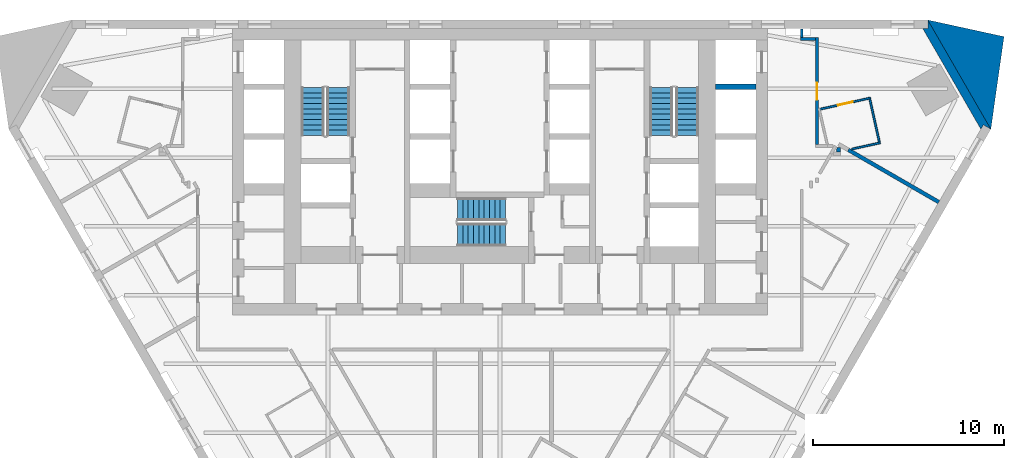
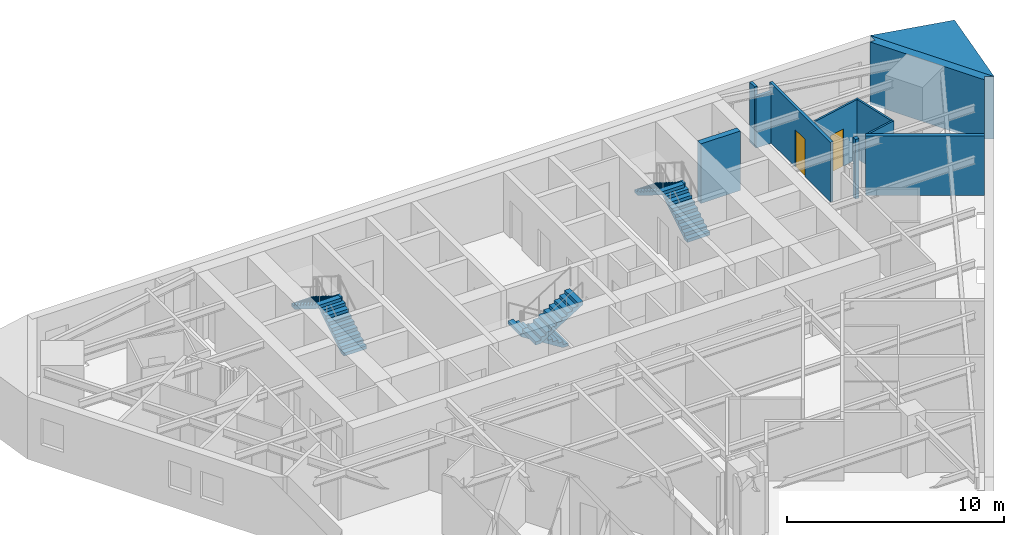
# One storey, part 9 of 11: 11 walls, 6 stair flights, 2 doors, 2 openings, 3 elements without a shape of their own.
"""IFC4 building model written with IfcOpenShell, lengths in metres."""

from ifc_helpers import new_model, si_unit, direction, frame, frame_2d, origin, place, context, subcontext, project, spatial, polyline, rectangle, outline, extrude, material, layer, layer_set, type_object, element, fill, aggregate, save


model = new_model("IFC4")

# Units and contexts
model_context = context("Model", 3, precision=1e-05, world=origin(), true_north=direction((0.0, 1.0)))
body_context = subcontext(model_context, "Body", "Model", "MODEL_VIEW")
ifc_project = project(units=[si_unit("LENGTHUNIT", "METRE"), si_unit("AREAUNIT", "SQUARE_METRE"), si_unit("VOLUMEUNIT", "CUBIC_METRE"), si_unit("PLANEANGLEUNIT", "RADIAN"), si_unit("MASSUNIT", "GRAM", prefix="KILO")], contexts=[model_context])

# Site, building, storey
site_placement = place(None, origin())
site = spatial("IfcSite", under=ifc_project, at=site_placement, CompositionType="ELEMENT")
building_placement = place(site_placement, origin())
building = spatial("IfcBuilding", under=site, at=building_placement, Name="Aloe Facet Convention Tower", CompositionType="ELEMENT")
storey_placement = place(building_placement, frame((0.0, 0.0, 66.5)))
storey = spatial("IfcBuildingStorey", under=building, at=storey_placement, Name="L15", CompositionType="ELEMENT", Elevation=66.5)

# Walls
ifc_material_1 = material(Name="Concrete C80/95", Category="concrete")
ifc_layer_1 = layer(ifc_material_1, 0.300048828125)
ifc_layer_set_1 = layer_set([ifc_layer_1], Name="CR-W-RC300-C8095")
wall_type_1 = type_object("IfcWallType", Name="CR-W-RC300-C8095", PredefinedType="SOLIDWALL", material=ifc_layer_set_1)
wall_1_placement = place(storey_placement, frame((91.300048828125, 131.5, 0.0), z_axis=(0.0, 0.0, 1.0), x_axis=(1.0, 0.0, 0.0)))
element("IfcWall", 1, at=wall_1_placement, inside=storey, type_object=wall_type_1, Name="Core wall L15-049", PredefinedType="SOLIDWALL", context=body_context, shape_type="SweptSolid", body=[
    extrude(rectangle(XDim=2.099853515625, YDim=0.300048828125, at=frame_2d((1.0498046875, 0.0))), origin(), (0.0, 0.0, 1.0), 3.35009765625),
])
ifc_material_2 = material(Name="Precast concrete C40/50", Category="concrete")
ifc_layer_2 = layer(ifc_material_2, 0.449951171875)
ifc_layer_set_2 = layer_set([ifc_layer_2], Name="EV-WALL-PIER")
wall_type_2 = type_object("IfcWallType", Name="EV-WALL-PIER", PredefinedType="SOLIDWALL", material=ifc_layer_set_2)
wall_2_placement = place(storey_placement, frame((0.0, 0.0, -0.14990234375)))
element("IfcWall", 2, at=wall_2_placement, inside=storey, type_object=wall_type_2, Name="EP-L15-C", PredefinedType="SOLIDWALL", context=body_context, shape_type="SweptSolid", body=[
    extrude(outline(polyline([(105.699951171875, 129.2841796875), (105.310302734375, 129.50927734375), (105.180419921875, 129.2841796875), (102.14013671875, 134.550048828125), (102.39990234375, 134.550048828125), (102.39990234375, 135.0), (105.699951171875, 129.2841796875)])), origin(), (0.0, 0.0, 1.0), 3.5),
])
ifc_material_3 = material(Name="Precast concrete C40/50", Category="concrete")
ifc_layer_3 = layer(ifc_material_3, 3.947998046875)
ifc_layer_set_3 = layer_set([ifc_layer_3], Name="EV-WALL-SPINE")
wall_type_3 = type_object("IfcWallType", Name="EV-WALL-SPINE", PredefinedType="SOLIDWALL", material=ifc_layer_set_3)
wall_3_placement = place(storey_placement, frame((0.0, 0.0, -0.14990234375)))
element("IfcWall", 3, at=wall_3_placement, inside=storey, type_object=wall_type_3, Name="SP-NE-L15", PredefinedType="SOLIDWALL", context=body_context, shape_type="SweptSolid", body=[
    extrude(outline(polyline([(105.699951171875, 129.2841796875), (106.388671875, 134.129638671875), (102.39990234375, 135.0), (105.699951171875, 129.2841796875)])), origin(), (0.0, 0.0, 1.0), 3.5),
])

# Wall, opening, door
ifc_material_4 = material(Name="Gypsum board partition on steel studs", Category="steel")
ifc_layer_4 = layer(ifc_material_4, 0.14990234375)
ifc_layer_set_4 = layer_set([ifc_layer_4], Name="IN-W-CORR")
wall_type_4 = type_object("IfcWallType", Name="IN-W-CORR", PredefinedType="PARTITIONING", material=ifc_layer_set_4)
wall_4_placement = place(storey_placement, frame((96.60009765625, 128.47509765625, 0.0), z_axis=(0.0, 0.0, 1.0), x_axis=(0.0, 1.0, 0.0)))
wall_4 = element("IfcWall", 4, at=wall_4_placement, inside=storey, type_object=wall_type_4, Name="Partition L15-W126", PredefinedType="PARTITIONING", context=body_context, shape_type="SweptSolid", body=[
    extrude(rectangle(XDim=5.599365234375, YDim=0.14990234375, at=frame_2d((2.7998046875, 0.0))), origin(), (0.0, 0.0, 1.0), 3.35009765625),
])
opening_1_placement = place(wall_4_placement, frame((2.349853515625, 0.0, 0.0)))
opening_1 = element("IfcOpeningElement", 5, at=opening_1_placement, cuts=wall_4, Name="Opening L15-001", PredefinedType="OPENING", context=body_context, shape_type="SweptSolid", body=[
    extrude(rectangle(XDim=0.89990234375, YDim=2.10009765625, at=frame_2d((0.449951171875, 1.050048828125))), frame((0.0, 0.0849609375, 0.0), z_axis=(0.0, -1.0, 0.0), x_axis=(1.0, 0.0, 0.0)), (0.0, 0.0, 1.0), 0.169921875),
])
ifc_material_5 = material(Name="Hardwood flush door FD30S", Category="wood")
door_type_1 = type_object("IfcDoorType", Name="IN-D-GUEST", OperationType="SINGLE_SWING_LEFT", PredefinedType="DOOR", material=ifc_material_5)
door_1_placement = place(opening_1_placement, origin())
door_1 = element("IfcDoor", 6, at=door_1_placement, inside=storey, type_object=door_type_1, Name="Door L15-001", OperationType="SINGLE_SWING_LEFT", OverallHeight=2.10009765625, OverallWidth=0.89990234375, PredefinedType="DOOR", context=body_context, shape_type="SweptSolid", body=[
    extrude(rectangle(XDim=0.89990234375, YDim=2.10009765625, at=frame_2d((0.449951171875, 1.050048828125))), frame((0.0, 0.02490234375, 0.0), z_axis=(0.0, -1.0, 0.0), x_axis=(1.0, 0.0, 0.0)), (0.0, 0.0, 1.0), 0.050048828125),
])
fill(opening_1, door_1)

# Walls
wall_5_placement = place(storey_placement, frame((95.72509765625, 134.0, 0.0), z_axis=(0.0, 0.0, 1.0), x_axis=(0.999999813645, -0.000610500497, 0.0)))
element("IfcWall", 7, at=wall_5_placement, inside=storey, type_object=wall_type_4, Name="Partition L15-W129", PredefinedType="PARTITIONING", context=body_context, shape_type="SweptSolid", body=[
    extrude(rectangle(XDim=0.7998046875, YDim=0.14990234375, at=frame_2d((0.39990234375, 0.0))), origin(), (0.0, 0.0, 1.0), 2.88671875),
])
wall_6_placement = place(storey_placement, frame((95.800048828125, 134.074951171875, 0.0), z_axis=(0.0, 0.0, 1.0), x_axis=(0.0, 1.0, 0.0)))
element("IfcWall", 8, at=wall_6_placement, inside=storey, type_object=wall_type_4, Name="Partition L15-W130", PredefinedType="PARTITIONING", context=body_context, shape_type="SweptSolid", body=[
    extrude(rectangle(XDim=0.465087890625, YDim=0.14990234375, at=frame_2d((0.232421875, 0.0))), origin(), (0.0, 0.0, 1.0), 3.35009765625),
])
ifc_material_6 = material(Name="Gypsum board partition on steel studs", Category="steel")
ifc_layer_5 = layer(ifc_material_6, 0.10009765625)
ifc_layer_set_5 = layer_set([ifc_layer_5], Name="IN-W-PART")
wall_type_5 = type_object("IfcWallType", Name="IN-W-PART", PredefinedType="PARTITIONING", material=ifc_layer_set_5)
wall_7_placement = place(storey_placement, frame((98.419189453125, 128.24072265625, 0.0), z_axis=(0.0, 0.0, 1.0), x_axis=(0.976051976124, 0.217537444834, 0.0)))
element("IfcWall", 9, at=wall_7_placement, inside=storey, type_object=wall_type_5, Name="Partition L15-W120", PredefinedType="PARTITIONING", context=body_context, shape_type="SweptSolid", body=[
    extrude(rectangle(XDim=1.532958984375, YDim=0.10009765625, at=frame_2d((0.7666015625, 0.0))), origin(), (0.0, 0.0, 1.0), 3.35009765625),
])

# Wall, opening, door
wall_8_placement = place(storey_placement, frame((96.767822265625, 130.331787109375, 0.0), z_axis=(0.0, 0.0, 1.0), x_axis=(0.976069905732, 0.21745698224, 0.0)))
wall_8 = element("IfcWall", 10, at=wall_8_placement, inside=storey, type_object=wall_type_5, Name="Partition L15-W123", PredefinedType="PARTITIONING", context=body_context, shape_type="SweptSolid", body=[
    extrude(rectangle(XDim=2.7001953125, YDim=0.10009765625, at=frame_2d((1.35009765625, 0.0))), origin(), (0.0, 0.0, 1.0), 3.35009765625),
])
opening_2_placement = place(wall_8_placement, frame((0.949951171875, 0.0, 0.0)))
opening_2 = element("IfcOpeningElement", 11, at=opening_2_placement, cuts=wall_8, Name="Opening L15-016", PredefinedType="OPENING", context=body_context, shape_type="SweptSolid", body=[
    extrude(rectangle(XDim=0.800048828125, YDim=2.10009765625, at=frame_2d((0.39990234375, 1.050048828125))), frame((0.0, 0.06005859375, 0.0), z_axis=(0.0, -1.0, 0.0), x_axis=(1.0, 0.0, 0.0)), (0.0, 0.0, 1.0), 0.1201171875),
])
ifc_material_7 = material(Name="Timber flush door", Category="wood")
door_type_2 = type_object("IfcDoorType", Name="IN-D-BATH", OperationType="SINGLE_SWING_LEFT", PredefinedType="DOOR", material=ifc_material_7)
door_2_placement = place(opening_2_placement, origin())
door_2 = element("IfcDoor", 12, at=door_2_placement, inside=storey, type_object=door_type_2, Name="Door L15-016", OperationType="SINGLE_SWING_LEFT", OverallHeight=2.10009765625, OverallWidth=0.800048828125, PredefinedType="DOOR", context=body_context, shape_type="SweptSolid", body=[
    extrude(rectangle(XDim=0.800048828125, YDim=2.10009765625, at=frame_2d((0.39990234375, 1.050048828125))), frame((0.0, 0.02490234375, 0.0), z_axis=(0.0, -1.0, 0.0), x_axis=(1.0, 0.0, 0.0)), (0.0, 0.0, 1.0), 0.050048828125),
])
fill(opening_2, door_2)

# Walls
wall_9_placement = place(storey_placement, frame((99.365478515625, 130.859130859375, 0.0), z_axis=(0.0, 0.0, 1.0), x_axis=(0.217402503607, -0.97608204134, 0.0)))
element("IfcWall", 13, at=wall_9_placement, inside=storey, type_object=wall_type_5, Name="Partition L15-W124", PredefinedType="PARTITIONING", context=body_context, shape_type="SweptSolid", body=[
    extrude(rectangle(XDim=2.2998046875, YDim=0.10009765625, at=frame_2d((1.14990234375, 0.0))), origin(), (0.0, 0.0, 1.0), 3.35009765625),
])
ifc_material_8 = material(Name="Gypsum board partition on steel studs", Category="steel")
ifc_layer_6 = layer(ifc_material_8, 0.199951171875)
ifc_layer_set_6 = layer_set([ifc_layer_6], Name="IN-W-PARTY")
wall_type_6 = type_object("IfcWallType", Name="IN-W-PARTY", PredefinedType="PARTITIONING", material=ifc_layer_set_6)
wall_10_placement = place(storey_placement, frame((98.243408203125, 128.20166015625, 0.0), z_axis=(0.0, 0.0, 1.0), x_axis=(0.866021955858, -0.500005971936, 0.0)))
element("IfcWall", 14, at=wall_10_placement, inside=storey, type_object=wall_type_6, Name="Partition L15-W109", PredefinedType="PARTITIONING", context=body_context, shape_type="SweptSolid", body=[
    extrude(rectangle(XDim=5.46630859375, YDim=0.199951171875, at=frame_2d((2.733154296875, 0.0))), origin(), (0.0, 0.0, 1.0), 3.35009765625),
])
wall_11_placement = place(storey_placement, frame((97.734375, 128.10009765625, 0.0), z_axis=(0.0, 0.0, 1.0), x_axis=(0.001098900435, 0.999999396209, 0.0)))
element("IfcWall", 15, at=wall_11_placement, inside=storey, type_object=wall_type_6, Name="Partition L15-W118", PredefinedType="PARTITIONING", context=body_context, shape_type="SweptSolid", body=[
    extrude(rectangle(XDim=0.22216796875, YDim=0.199951171875, at=frame_2d((0.111083984375, 0.0))), origin(), (0.0, 0.0, 1.0), 3.35009765625),
])

# Stair, stair flights
ifc_material_9 = material(Name="Concrete C50/60", Category="concrete")
stair_type = type_object("IfcStairType", Name="CR-ST-20R", PredefinedType="HALF_TURN_STAIR", material=ifc_material_9)
stair_1_placement = place(storey_placement, origin())
stair_1 = element("IfcStair", 16, at=stair_1_placement, inside=storey, type_object=stair_type, Name="L15 Protected exit stair ST1", PredefinedType="HALF_TURN_STAIR")
ifc_material_10 = material(Name="Concrete C50/60", Category="concrete")
stair_flight_type = type_object("IfcStairFlightType", Name="CR-SFL-20R", PredefinedType="STRAIGHT", material=ifc_material_10)
stair_flight_1_placement = place(storey_placement, frame((71.550048828125, 128.949951171875, 0.0), z_axis=(0.0, 0.0, 1.0), x_axis=(0.0, 1.0, 0.0)))
stair_flight_1 = element("IfcStairFlight", 17, at=stair_flight_1_placement, type_object=stair_flight_type, Name="ST1 flight 1", NumberOfRisers=10, NumberOfTreads=9, PredefinedType="STRAIGHT", RiserHeight=0.175, TreadLength=0.28, context=body_context, shape_type="SweptSolid", body=[
    extrude(outline(polyline([(0.0, 0.0), (0.0, 0.175048828125), (0.280029296875, 0.175048828125), (0.280029296875, 0.35009765625), (0.56005859375, 0.35009765625), (0.56005859375, 0.52490234375), (0.840087890625, 0.52490234375), (0.840087890625, 0.699951171875), (1.1201171875, 0.699951171875), (1.1201171875, 0.875), (1.39990234375, 0.875), (1.39990234375, 1.050048828125), (1.679931640625, 1.050048828125), (1.679931640625, 1.22509765625), (1.9599609375, 1.22509765625), (1.9599609375, 1.39990234375), (2.239990234375, 1.39990234375), (2.239990234375, 1.574951171875), (2.52001953125, 1.574951171875), (2.52001953125, 1.75), (2.52001953125, 1.398193359375), (0.28271484375, 0.0), (0.0, 0.0)])), frame((0.0, 0.60009765625, 0.0), z_axis=(0.0, -1.0, 0.0), x_axis=(1.0, 0.0, 0.0)), (0.0, 0.0, 1.0), 1.199951171875),
])
stair_flight_2_placement = place(storey_placement, frame((70.199951171875, 131.469970703125, 1.75), z_axis=(0.0, 0.0, 1.0), x_axis=(0.0, -1.0, 0.0)))
stair_flight_2 = element("IfcStairFlight", 18, at=stair_flight_2_placement, type_object=stair_flight_type, Name="ST1 flight 2", NumberOfRisers=10, NumberOfTreads=9, PredefinedType="STRAIGHT", RiserHeight=0.175, TreadLength=0.28, context=body_context, shape_type="SweptSolid", body=[
    extrude(outline(polyline([(0.0, 0.0), (0.0, 0.175048828125), (0.280029296875, 0.175048828125), (0.280029296875, 0.35009765625), (0.56005859375, 0.35009765625), (0.56005859375, 0.52490234375), (0.840087890625, 0.52490234375), (0.840087890625, 0.699951171875), (1.1201171875, 0.699951171875), (1.1201171875, 0.875), (1.39990234375, 0.875), (1.39990234375, 1.050048828125), (1.679931640625, 1.050048828125), (1.679931640625, 1.22509765625), (1.9599609375, 1.22509765625), (1.9599609375, 1.39990234375), (2.239990234375, 1.39990234375), (2.239990234375, 1.574951171875), (2.52001953125, 1.574951171875), (2.52001953125, 1.75), (2.52001953125, 1.398193359375), (0.28271484375, 0.0), (0.0, 0.0)])), frame((0.0, 0.60009765625, 0.0), z_axis=(0.0, -1.0, 0.0), x_axis=(1.0, 0.0, 0.0)), (0.0, 0.0, 1.0), 1.199951171875),
])
aggregate(stair_1, [stair_flight_1, stair_flight_2])

stair_2_placement = place(storey_placement, origin())
stair_2 = element("IfcStair", 19, at=stair_2_placement, inside=storey, type_object=stair_type, Name="L15 Protected exit stair ST2", PredefinedType="HALF_TURN_STAIR")
stair_flight_3_placement = place(storey_placement, frame((89.800048828125, 128.949951171875, 0.0), z_axis=(0.0, 0.0, 1.0), x_axis=(0.0, 1.0, 0.0)))
stair_flight_3 = element("IfcStairFlight", 20, at=stair_flight_3_placement, type_object=stair_flight_type, Name="ST2 flight 1", NumberOfRisers=10, NumberOfTreads=9, PredefinedType="STRAIGHT", RiserHeight=0.175, TreadLength=0.28, context=body_context, shape_type="SweptSolid", body=[
    extrude(outline(polyline([(0.0, 0.0), (0.0, 0.175048828125), (0.280029296875, 0.175048828125), (0.280029296875, 0.35009765625), (0.56005859375, 0.35009765625), (0.56005859375, 0.52490234375), (0.840087890625, 0.52490234375), (0.840087890625, 0.699951171875), (1.1201171875, 0.699951171875), (1.1201171875, 0.875), (1.39990234375, 0.875), (1.39990234375, 1.050048828125), (1.679931640625, 1.050048828125), (1.679931640625, 1.22509765625), (1.9599609375, 1.22509765625), (1.9599609375, 1.39990234375), (2.239990234375, 1.39990234375), (2.239990234375, 1.574951171875), (2.52001953125, 1.574951171875), (2.52001953125, 1.75), (2.52001953125, 1.398193359375), (0.28271484375, 0.0), (0.0, 0.0)])), frame((0.0, 0.60009765625, 0.0), z_axis=(0.0, -1.0, 0.0), x_axis=(1.0, 0.0, 0.0)), (0.0, 0.0, 1.0), 1.199951171875),
])
stair_flight_4_placement = place(storey_placement, frame((88.449951171875, 131.469970703125, 1.75), z_axis=(0.0, 0.0, 1.0), x_axis=(0.0, -1.0, 0.0)))
stair_flight_4 = element("IfcStairFlight", 21, at=stair_flight_4_placement, type_object=stair_flight_type, Name="ST2 flight 2", NumberOfRisers=10, NumberOfTreads=9, PredefinedType="STRAIGHT", RiserHeight=0.175, TreadLength=0.28, context=body_context, shape_type="SweptSolid", body=[
    extrude(outline(polyline([(0.0, 0.0), (0.0, 0.175048828125), (0.280029296875, 0.175048828125), (0.280029296875, 0.35009765625), (0.56005859375, 0.35009765625), (0.56005859375, 0.52490234375), (0.840087890625, 0.52490234375), (0.840087890625, 0.699951171875), (1.1201171875, 0.699951171875), (1.1201171875, 0.875), (1.39990234375, 0.875), (1.39990234375, 1.050048828125), (1.679931640625, 1.050048828125), (1.679931640625, 1.22509765625), (1.9599609375, 1.22509765625), (1.9599609375, 1.39990234375), (2.239990234375, 1.39990234375), (2.239990234375, 1.574951171875), (2.52001953125, 1.574951171875), (2.52001953125, 1.75), (2.52001953125, 1.398193359375), (0.28271484375, 0.0), (0.0, 0.0)])), frame((0.0, 0.60009765625, 0.0), z_axis=(0.0, -1.0, 0.0), x_axis=(1.0, 0.0, 0.0)), (0.0, 0.0, 1.0), 1.199951171875),
])
aggregate(stair_2, [stair_flight_3, stair_flight_4])

stair_3_placement = place(storey_placement, origin())
stair_3 = element("IfcStair", 22, at=stair_3_placement, inside=storey, type_object=stair_type, Name="L15 Protected exit stair ST3", PredefinedType="HALF_TURN_STAIR")
stair_flight_5_placement = place(storey_placement, frame((80.300048828125, 125.10009765625, 0.0), z_axis=(0.0, 0.0, 1.0), x_axis=(-1.0, 0.0, 0.0)))
stair_flight_5 = element("IfcStairFlight", 23, at=stair_flight_5_placement, type_object=stair_flight_type, Name="ST3 flight 1", NumberOfRisers=10, NumberOfTreads=9, PredefinedType="STRAIGHT", RiserHeight=0.175, TreadLength=0.28, context=body_context, shape_type="SweptSolid", body=[
    extrude(outline(polyline([(0.0, 0.0), (0.0, 0.175048828125), (0.280029296875, 0.175048828125), (0.280029296875, 0.35009765625), (0.56005859375, 0.35009765625), (0.56005859375, 0.52490234375), (0.840087890625, 0.52490234375), (0.840087890625, 0.699951171875), (1.1201171875, 0.699951171875), (1.1201171875, 0.875), (1.39990234375, 0.875), (1.39990234375, 1.050048828125), (1.679931640625, 1.050048828125), (1.679931640625, 1.22509765625), (1.9599609375, 1.22509765625), (1.9599609375, 1.39990234375), (2.239990234375, 1.39990234375), (2.239990234375, 1.574951171875), (2.52001953125, 1.574951171875), (2.52001953125, 1.75), (2.52001953125, 1.398193359375), (0.28271484375, 0.0), (0.0, 0.0)])), frame((0.0, 0.60009765625, 0.0), z_axis=(0.0, -1.0, 0.0), x_axis=(1.0, 0.0, 0.0)), (0.0, 0.0, 1.0), 1.199951171875),
])
stair_flight_6_placement = place(storey_placement, frame((77.780029296875, 123.75, 1.75), z_axis=(0.0, 0.0, 1.0), x_axis=(1.0, 0.0, 0.0)))
stair_flight_6 = element("IfcStairFlight", 24, at=stair_flight_6_placement, type_object=stair_flight_type, Name="ST3 flight 2", NumberOfRisers=10, NumberOfTreads=9, PredefinedType="STRAIGHT", RiserHeight=0.175, TreadLength=0.28, context=body_context, shape_type="SweptSolid", body=[
    extrude(outline(polyline([(0.0, 0.0), (0.0, 0.175048828125), (0.280029296875, 0.175048828125), (0.280029296875, 0.35009765625), (0.56005859375, 0.35009765625), (0.56005859375, 0.52490234375), (0.840087890625, 0.52490234375), (0.840087890625, 0.699951171875), (1.1201171875, 0.699951171875), (1.1201171875, 0.875), (1.39990234375, 0.875), (1.39990234375, 1.050048828125), (1.679931640625, 1.050048828125), (1.679931640625, 1.22509765625), (1.9599609375, 1.22509765625), (1.9599609375, 1.39990234375), (2.239990234375, 1.39990234375), (2.239990234375, 1.574951171875), (2.52001953125, 1.574951171875), (2.52001953125, 1.75), (2.52001953125, 1.398193359375), (0.28271484375, 0.0), (0.0, 0.0)])), frame((0.0, 0.60009765625, 0.0), z_axis=(0.0, -1.0, 0.0), x_axis=(1.0, 0.0, 0.0)), (0.0, 0.0, 1.0), 1.199951171875),
])
aggregate(stair_3, [stair_flight_5, stair_flight_6])

save(model, "model.ifc")
